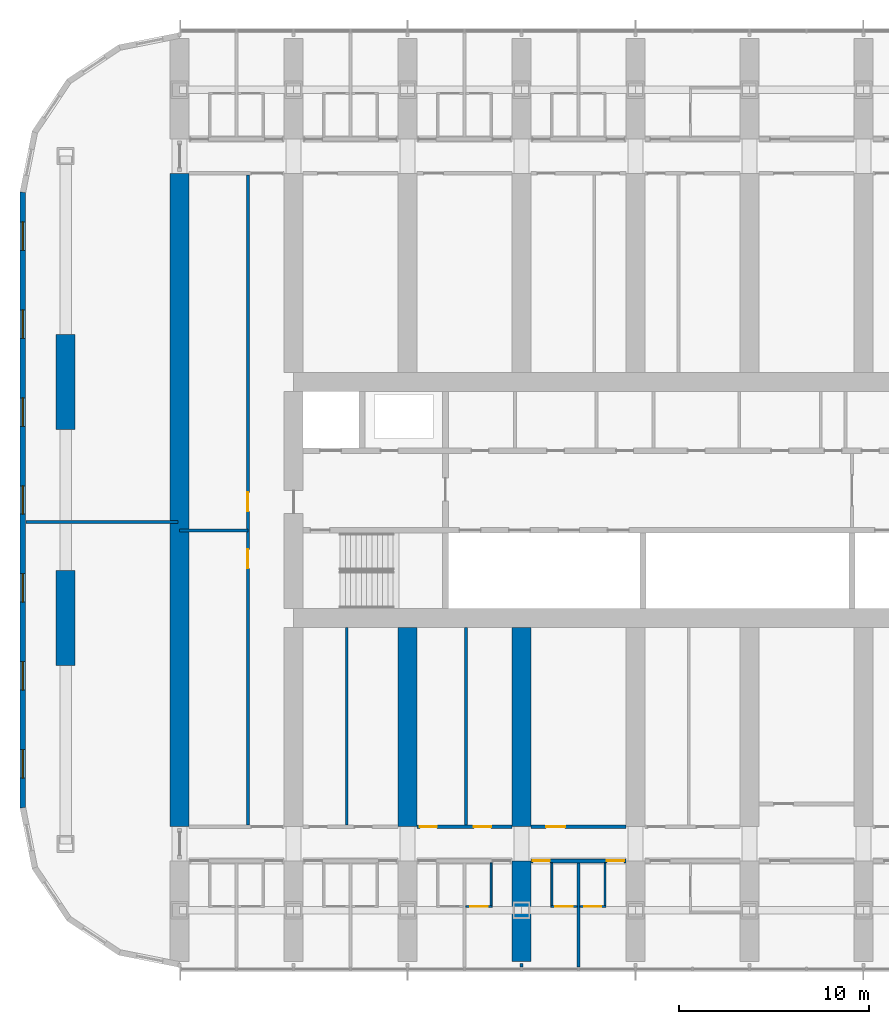
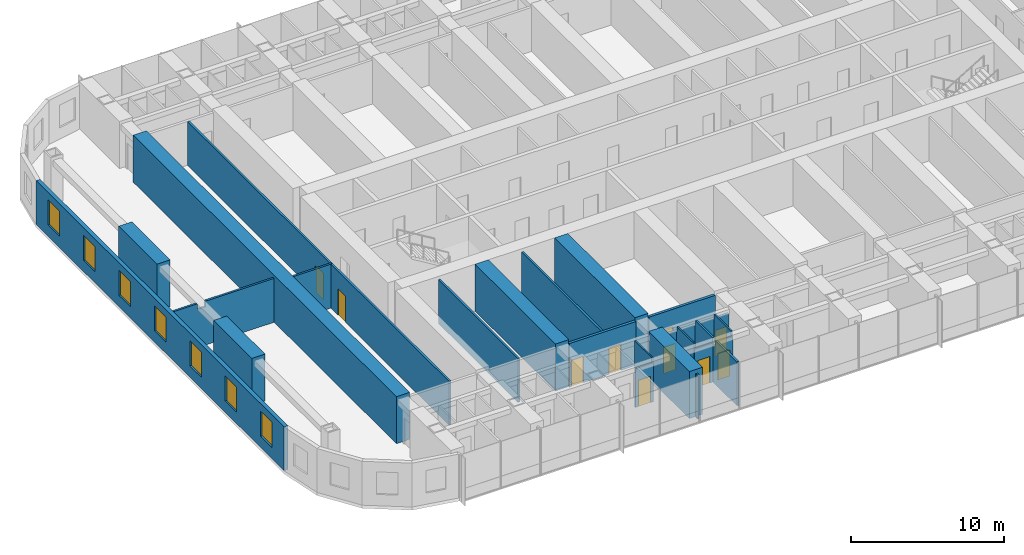
# One storey, part 11 of 25: 23 walls, 10 doors, 7 windows, 17 openings.
"""IFC4 building model written with IfcOpenShell, lengths in metres."""

from ifc_helpers import new_model, si_unit, direction, frame, frame_2d, origin, place, context, subcontext, project, spatial, polyline, rectangle, outline, extrude, material, layer, layer_set, type_object, element, fill, save


model = new_model("IFC4")

# Units and contexts
model_context = context("Model", 3, precision=1e-05, world=origin(), true_north=direction((0.0, 1.0)))
body_context = subcontext(model_context, "Body", "Model", "MODEL_VIEW")
ifc_project = project(units=[si_unit("LENGTHUNIT", "METRE"), si_unit("AREAUNIT", "SQUARE_METRE"), si_unit("VOLUMEUNIT", "CUBIC_METRE"), si_unit("PLANEANGLEUNIT", "RADIAN"), si_unit("MASSUNIT", "GRAM", prefix="KILO")], contexts=[model_context])

# Site, building, storey
site_placement = place(None, origin())
site = spatial("IfcSite", under=ifc_project, at=site_placement, CompositionType="ELEMENT")
building_placement = place(site_placement, origin())
building = spatial("IfcBuilding", under=site, at=building_placement, Name="Orbita Commons", CompositionType="ELEMENT")
storey_placement = place(building_placement, frame((0.0, 0.0, 31.449951171875)))
storey = spatial("IfcBuildingStorey", under=building, at=storey_placement, Name="L07", CompositionType="ELEMENT", Elevation=31.449951171875)

# Wall, openings, doors
ifc_material_1 = material(Name="Concrete blockwork", Category="masonry")
ifc_layer_1 = layer(ifc_material_1, 0.199951171875)
ifc_layer_set_1 = layer_set([ifc_layer_1], Name="Concrete blockwork")
wall_type_1 = type_object("IfcWallType", Name="Corridor wall 200 blockwork", PredefinedType="SOLIDWALL", material=ifc_layer_set_1)
wall_1_placement = place(storey_placement, frame((30.5, 13.0, 0.0), z_axis=(0.0, 0.0, 1.0), x_axis=(1.0, 0.0, 0.0)))
wall_1 = element("IfcWall", 1, at=wall_1_placement, inside=storey, type_object=wall_type_1, Name="Corridor wall 200 blockwork L07", PredefinedType="SOLIDWALL", context=body_context, shape_type="SweptSolid", body=[
    extrude(outline(polyline([(0.0, 0.0), (5.0, 0.0), (5.0, 3.10009765625), (0.0, 3.10009765625), (0.0, 0.0)])), frame((0.0, 0.10009765625, 0.0), z_axis=(0.0, -1.0, 0.0), x_axis=(1.0, 0.0, 0.0)), (0.0, 0.0, 1.0), 0.199951171875),
])
opening_1_placement = place(wall_1_placement, frame((0.10009765625, 0.0, 0.0)))
opening_1 = element("IfcOpeningElement", 2, at=opening_1_placement, cuts=wall_1, Name="Opening D11", PredefinedType="OPENING", context=body_context, shape_type="SweptSolid", body=[
    extrude(rectangle(XDim=0.89990234375, YDim=2.10009765625, at=frame_2d((0.449951171875, 1.050048828125))), frame((0.0, 0.10986328125, 0.0), z_axis=(0.0, -1.0, 0.0), x_axis=(1.0, 0.0, 0.0)), (0.0, 0.0, 1.0), 0.219970703125),
])
opening_2_placement = place(wall_1_placement, frame((4.0, 0.0, 0.0)))
opening_2 = element("IfcOpeningElement", 3, at=opening_2_placement, cuts=wall_1, Name="Opening D11", PredefinedType="OPENING", context=body_context, shape_type="SweptSolid", body=[
    extrude(rectangle(XDim=0.89990234375, YDim=2.10009765625, at=frame_2d((0.449951171875, 1.050048828125))), frame((0.0, 0.10986328125, 0.0), z_axis=(0.0, -1.0, 0.0), x_axis=(1.0, 0.0, 0.0)), (0.0, 0.0, 1.0), 0.219970703125),
])
ifc_material_2 = material(Name="Steel-faced fire door leaf", Category="steel")
door_type_1 = type_object("IfcDoorType", Name="Corridor door 20 min 900x2100", OperationType="SINGLE_SWING_LEFT", PredefinedType="DOOR", material=ifc_material_2)
door_1_placement = place(opening_1_placement, origin())
door_1 = element("IfcDoor", 4, at=door_1_placement, inside=storey, type_object=door_type_1, Name="House bedroom L07-S06 door", OperationType="SINGLE_SWING_LEFT", OverallHeight=2.10009765625, OverallWidth=0.89990234375, PredefinedType="DOOR", context=body_context, shape_type="SweptSolid", body=[
    extrude(rectangle(XDim=0.89990234375, YDim=2.10009765625, at=frame_2d((0.449951171875, 1.050048828125))), frame((0.0, 0.02490234375, 0.0), z_axis=(0.0, -1.0, 0.0), x_axis=(1.0, 0.0, 0.0)), (0.0, 0.0, 1.0), 0.050048828125),
])
fill(opening_1, door_1)
door_2_placement = place(opening_2_placement, origin())
door_2 = element("IfcDoor", 5, at=door_2_placement, inside=storey, type_object=door_type_1, Name="House bedroom L07-S07 door", OperationType="SINGLE_SWING_LEFT", OverallHeight=2.10009765625, OverallWidth=0.89990234375, PredefinedType="DOOR", context=body_context, shape_type="SweptSolid", body=[
    extrude(rectangle(XDim=0.89990234375, YDim=2.10009765625, at=frame_2d((0.449951171875, 1.050048828125))), frame((0.0, 0.02490234375, 0.0), z_axis=(0.0, -1.0, 0.0), x_axis=(1.0, 0.0, 0.0)), (0.0, 0.0, 1.0), 0.050048828125),
])
fill(opening_2, door_2)

ifc_material_3 = material(Name="Hollow concrete block 200", Category="concrete")
ifc_layer_2 = layer(ifc_material_3, 0.199951171875)
ifc_layer_set_2 = layer_set([ifc_layer_2], Name="Hollow concrete block 200")
wall_type_2 = type_object("IfcWallType", Name="Corridor wall 200 hollow concrete block", PredefinedType="SOLIDWALL", material=ifc_layer_set_2)
wall_2_placement = place(storey_placement, frame((24.5, 14.800048828125, 0.0), z_axis=(0.0, 0.0, 1.0), x_axis=(1.0, 0.0, 0.0)))
wall_2 = element("IfcWall", 6, at=wall_2_placement, inside=storey, type_object=wall_type_2, Name="Corridor wall 200 hollow concrete block L07", PredefinedType="SOLIDWALL", context=body_context, shape_type="SweptSolid", body=[
    extrude(rectangle(XDim=5.0, YDim=0.199951171875, at=frame_2d((2.5, 0.0))), origin(), (0.0, 0.0, 1.0), 3.5),
])
opening_3_placement = place(wall_2_placement, frame((0.14990234375, 0.0, 0.0)))
opening_3 = element("IfcOpeningElement", 7, at=opening_3_placement, cuts=wall_2, Name="Opening D11", PredefinedType="OPENING", context=body_context, shape_type="SweptSolid", body=[
    extrude(rectangle(XDim=0.89990234375, YDim=2.10009765625, at=frame_2d((0.449951171875, 1.050048828125))), frame((0.0, 0.10986328125, 0.0), z_axis=(0.0, -1.0, 0.0), x_axis=(1.0, 0.0, 0.0)), (0.0, 0.0, 1.0), 0.219970703125),
])
opening_4_placement = place(wall_2_placement, frame((3.0, 0.0, 0.0)))
opening_4 = element("IfcOpeningElement", 8, at=opening_4_placement, cuts=wall_2, Name="Opening D11", PredefinedType="OPENING", context=body_context, shape_type="SweptSolid", body=[
    extrude(rectangle(XDim=0.89990234375, YDim=2.10009765625, at=frame_2d((0.449951171875, 1.050048828125))), frame((0.0, 0.10986328125, 0.0), z_axis=(0.0, -1.0, 0.0), x_axis=(1.0, 0.0, 0.0)), (0.0, 0.0, 1.0), 0.219970703125),
])
door_3_placement = place(opening_3_placement, origin())
door_3 = element("IfcDoor", 9, at=door_3_placement, inside=storey, type_object=door_type_1, Name="Equipment store L07-BDS24n door", OperationType="SINGLE_SWING_LEFT", OverallHeight=2.10009765625, OverallWidth=0.89990234375, PredefinedType="DOOR", context=body_context, shape_type="SweptSolid", body=[
    extrude(rectangle(XDim=0.89990234375, YDim=2.10009765625, at=frame_2d((0.449951171875, 1.050048828125))), frame((0.0, 0.02490234375, 0.0), z_axis=(0.0, -1.0, 0.0), x_axis=(1.0, 0.0, 0.0)), (0.0, 0.0, 1.0), 0.050048828125),
])
fill(opening_3, door_3)
door_4_placement = place(opening_4_placement, origin())
door_4 = element("IfcDoor", 10, at=door_4_placement, inside=storey, type_object=door_type_1, Name="Bicycle repair workshop L07-BDS24 door", OperationType="SINGLE_SWING_LEFT", OverallHeight=2.10009765625, OverallWidth=0.89990234375, PredefinedType="DOOR", context=body_context, shape_type="SweptSolid", body=[
    extrude(rectangle(XDim=0.89990234375, YDim=2.10009765625, at=frame_2d((0.449951171875, 1.050048828125))), frame((0.0, 0.02490234375, 0.0), z_axis=(0.0, -1.0, 0.0), x_axis=(1.0, 0.0, 0.0)), (0.0, 0.0, 1.0), 0.050048828125),
])
fill(opening_4, door_4)

# Wall, opening, door
wall_3_placement = place(storey_placement, frame((30.5, 14.800048828125, 0.0), z_axis=(0.0, 0.0, 1.0), x_axis=(1.0, 0.0, 0.0)))
wall_3 = element("IfcWall", 11, at=wall_3_placement, inside=storey, type_object=wall_type_2, Name="Corridor wall 200 hollow concrete block L07", PredefinedType="SOLIDWALL", context=body_context, shape_type="SweptSolid", body=[
    extrude(rectangle(XDim=5.0, YDim=0.199951171875, at=frame_2d((2.5, 0.0))), origin(), (0.0, 0.0, 1.0), 3.5),
])
opening_5_placement = place(wall_3_placement, frame((0.800048828125, 0.0, 0.0)))
opening_5 = element("IfcOpeningElement", 12, at=opening_5_placement, cuts=wall_3, Name="Opening D06", PredefinedType="OPENING", context=body_context, shape_type="SweptSolid", body=[
    extrude(rectangle(XDim=1.0, YDim=2.10009765625, at=frame_2d((0.5, 1.050048828125))), frame((0.0, 0.10986328125, 0.0), z_axis=(0.0, -1.0, 0.0), x_axis=(1.0, 0.0, 0.0)), (0.0, 0.0, 1.0), 0.219970703125),
])
ifc_material_4 = material(Name="Steel-faced fire door leaf", Category="steel")
door_type_2 = type_object("IfcDoorType", Name="Corridor door 20 min 1000x2100", OperationType="SINGLE_SWING_LEFT", PredefinedType="DOOR", material=ifc_material_4)
door_5_placement = place(opening_5_placement, origin())
door_5 = element("IfcDoor", 13, at=door_5_placement, inside=storey, type_object=door_type_2, Name="House pantry L07-BDS30 door", OperationType="SINGLE_SWING_LEFT", OverallHeight=2.10009765625, OverallWidth=1.0, PredefinedType="DOOR", context=body_context, shape_type="SweptSolid", body=[
    extrude(rectangle(XDim=1.0, YDim=2.10009765625, at=frame_2d((0.5, 1.050048828125))), frame((0.0, 0.02490234375, 0.0), z_axis=(0.0, -1.0, 0.0), x_axis=(1.0, 0.0, 0.0)), (0.0, 0.0, 1.0), 0.050048828125),
])
fill(opening_5, door_5)

# Walls
ifc_material_5 = material(Name="Concrete C50/60", Category="concrete")
ifc_layer_3 = layer(ifc_material_5, 1.0)
ifc_layer_set_3 = layer_set([ifc_layer_3], Name="Concrete C50/60")
wall_type_3 = type_object("IfcWallType", Name="Cross wall 1000 C50/60", PredefinedType="SHEAR", material=ifc_layer_set_3)
wall_4_placement = place(storey_placement, frame((12.0, 14.800048828125, 0.0), z_axis=(0.0, 0.0, 1.0), x_axis=(0.0, 1.0, 0.0)))
element("IfcWall", 14, at=wall_4_placement, inside=storey, type_object=wall_type_3, Name="Cross wall 3 inner L07", PredefinedType="SHEAR", context=body_context, shape_type="SweptSolid", body=[
    extrude(rectangle(XDim=34.39990234375, YDim=1.0, at=frame_2d((17.199951171875, 0.0))), origin(), (0.0, 0.0, 1.0), 3.75),
])
wall_5_placement = place(storey_placement, frame((24.0, 14.800048828125, 0.0), z_axis=(0.0, 0.0, 1.0), x_axis=(0.0, 1.0, 0.0)))
element("IfcWall", 15, at=wall_5_placement, inside=storey, type_object=wall_type_3, Name="Cross wall 5 south inner L07", PredefinedType="SHEAR", context=body_context, shape_type="SweptSolid", body=[
    extrude(rectangle(XDim=10.5, YDim=1.0, at=frame_2d((5.25, 0.0))), origin(), (0.0, 0.0, 1.0), 3.75),
])
wall_6_placement = place(storey_placement, frame((30.0, 7.699951171875, 0.0), z_axis=(0.0, 0.0, 1.0), x_axis=(0.0, 1.0, 0.0)))
element("IfcWall", 16, at=wall_6_placement, inside=storey, type_object=wall_type_3, Name="Cross wall 6 south outer L07", PredefinedType="SHEAR", context=body_context, shape_type="SweptSolid", body=[
    extrude(rectangle(XDim=5.300048828125, YDim=1.0, at=frame_2d((2.64990234375, 0.0))), origin(), (0.0, 0.0, 1.0), 3.75),
])
wall_7_placement = place(storey_placement, frame((30.0, 14.800048828125, 0.0), z_axis=(0.0, 0.0, 1.0), x_axis=(0.0, 1.0, 0.0)))
element("IfcWall", 17, at=wall_7_placement, inside=storey, type_object=wall_type_3, Name="Cross wall 6 south inner L07", PredefinedType="SHEAR", context=body_context, shape_type="SweptSolid", body=[
    extrude(rectangle(XDim=10.5, YDim=1.0, at=frame_2d((5.25, 0.0))), origin(), (0.0, 0.0, 1.0), 3.75),
])

# Wall, opening, door
ifc_material_6 = material(Name="Moisture-resistant plasterboard on steel studs", Category="steel")
ifc_layer_4 = layer(ifc_material_6, 0.10009765625)
ifc_layer_set_4 = layer_set([ifc_layer_4], Name="Moisture-resistant plasterboard on steel studs")
wall_type_4 = type_object("IfcWallType", Name="En-suite partition 100", PredefinedType="PARTITIONING", material=ifc_layer_set_4)
wall_8_placement = place(storey_placement, frame((28.449951171875, 10.59814453125, 0.0), z_axis=(0.0, 0.0, 1.0), x_axis=(-1.0, 0.0, 0.0)))
wall_8 = element("IfcWall", 18, at=wall_8_placement, inside=storey, type_object=wall_type_4, Name="En-suite partition 100 L07", PredefinedType="PARTITIONING", context=body_context, shape_type="SweptSolid", body=[
    extrude(outline(polyline([(0.0, 0.0), (1.375, 0.0), (1.375, 3.10009765625), (0.0, 3.10009765625), (0.0, 0.0)])), frame((0.0, 0.050048828125, 0.0), z_axis=(0.0, -1.0, 0.0), x_axis=(1.0, 0.0, 0.0)), (0.0, 0.0, 1.0), 0.10009765625),
])
opening_6_placement = place(wall_8_placement, frame((0.237548828125, 0.0, 0.0)))
opening_6 = element("IfcOpeningElement", 19, at=opening_6_placement, cuts=wall_8, Name="Opening D09", PredefinedType="OPENING", context=body_context, shape_type="SweptSolid", body=[
    extrude(rectangle(XDim=0.89990234375, YDim=2.10009765625, at=frame_2d((0.449951171875, 1.050048828125))), frame((0.0, 0.06005859375, 0.0), z_axis=(0.0, -1.0, 0.0), x_axis=(1.0, 0.0, 0.0)), (0.0, 0.0, 1.0), 0.1201171875),
])
ifc_material_7 = material(Name="Laminated timber door leaf", Category="wood")
door_type_3 = type_object("IfcDoorType", Name="En-suite door 900x2100", OperationType="SINGLE_SWING_RIGHT", PredefinedType="DOOR", material=ifc_material_7)
door_6_placement = place(opening_6_placement, origin())
door_6 = element("IfcDoor", 20, at=door_6_placement, inside=storey, type_object=door_type_3, Name="En-suite L07-S05 door", OperationType="SINGLE_SWING_RIGHT", OverallHeight=2.10009765625, OverallWidth=0.89990234375, PredefinedType="DOOR", context=body_context, shape_type="SweptSolid", body=[
    extrude(rectangle(XDim=0.89990234375, YDim=2.10009765625, at=frame_2d((0.449951171875, 1.050048828125))), frame((0.0, 0.02490234375, 0.0), z_axis=(0.0, -1.0, 0.0), x_axis=(1.0, 0.0, 0.0)), (0.0, 0.0, 1.0), 0.050048828125),
])
fill(opening_6, door_6)

# Wall
wall_9_placement = place(storey_placement, frame((28.39990234375, 10.648193359375, 0.0), z_axis=(0.0, 0.0, 1.0), x_axis=(0.0, 1.0, 0.0)))
element("IfcWall", 21, at=wall_9_placement, inside=storey, type_object=wall_type_4, Name="En-suite partition 100 L07", PredefinedType="PARTITIONING", context=body_context, shape_type="SweptSolid", body=[
    extrude(outline(polyline([(0.0, 0.0), (2.251708984375, 0.0), (2.251953125, 3.10009765625), (2.203857421875, 3.10009765625), (2.201904296875, 3.5), (0.0, 3.5), (0.0, 0.0)])), frame((0.0, 0.050048828125, 0.0), z_axis=(0.0, -1.0, 0.0), x_axis=(1.0, 0.0, 0.0)), (0.0, 0.0, 1.0), 0.10009765625),
])

# Wall, opening, door
wall_10_placement = place(storey_placement, frame((32.925048828125, 10.59814453125, 0.0), z_axis=(0.0, 0.0, 1.0), x_axis=(-1.0, 0.0, 0.0)))
wall_10 = element("IfcWall", 22, at=wall_10_placement, inside=storey, type_object=wall_type_4, Name="En-suite partition 100 L07", PredefinedType="PARTITIONING", context=body_context, shape_type="SweptSolid", body=[
    extrude(outline(polyline([(0.0, 0.0), (1.375, 0.0), (1.375, 3.10009765625), (0.0, 3.10009765625), (0.0, 0.0)])), frame((0.0, 0.050048828125, 0.0), z_axis=(0.0, -1.0, 0.0), x_axis=(1.0, 0.0, 0.0)), (0.0, 0.0, 1.0), 0.10009765625),
])
opening_7_placement = place(wall_10_placement, frame((0.237548828125, 0.0, 0.0)))
opening_7 = element("IfcOpeningElement", 23, at=opening_7_placement, cuts=wall_10, Name="Opening D09", PredefinedType="OPENING", context=body_context, shape_type="SweptSolid", body=[
    extrude(rectangle(XDim=0.89990234375, YDim=2.10009765625, at=frame_2d((0.449951171875, 1.050048828125))), frame((0.0, 0.06005859375, 0.0), z_axis=(0.0, -1.0, 0.0), x_axis=(1.0, 0.0, 0.0)), (0.0, 0.0, 1.0), 0.1201171875),
])
door_7_placement = place(opening_7_placement, origin())
door_7 = element("IfcDoor", 24, at=door_7_placement, inside=storey, type_object=door_type_3, Name="En-suite L07-S06 door", OperationType="SINGLE_SWING_RIGHT", OverallHeight=2.10009765625, OverallWidth=0.89990234375, PredefinedType="DOOR", context=body_context, shape_type="SweptSolid", body=[
    extrude(rectangle(XDim=0.89990234375, YDim=2.10009765625, at=frame_2d((0.449951171875, 1.050048828125))), frame((0.0, 0.02490234375, 0.0), z_axis=(0.0, -1.0, 0.0), x_axis=(1.0, 0.0, 0.0)), (0.0, 0.0, 1.0), 0.050048828125),
])
fill(opening_7, door_7)

# Wall
wall_11_placement = place(storey_placement, frame((31.60009765625, 10.648193359375, 0.0), z_axis=(0.0, 0.0, 1.0), x_axis=(0.0, 1.0, 0.0)))
element("IfcWall", 25, at=wall_11_placement, inside=storey, type_object=wall_type_4, Name="En-suite partition 100 L07", PredefinedType="PARTITIONING", context=body_context, shape_type="SweptSolid", body=[
    extrude(outline(polyline([(0.0, 0.0), (2.251708984375, 0.0), (2.251953125, 3.10009765625), (2.203857421875, 3.10009765625), (2.201904296875, 3.5), (0.0, 3.5), (0.0, 0.0)])), frame((0.0, 0.050048828125, 0.0), z_axis=(0.0, -1.0, 0.0), x_axis=(1.0, 0.0, 0.0)), (0.0, 0.0, 1.0), 0.10009765625),
])

# Wall, opening, door
wall_12_placement = place(storey_placement, frame((34.449951171875, 10.59814453125, 0.0), z_axis=(0.0, 0.0, 1.0), x_axis=(-1.0, 0.0, 0.0)))
wall_12 = element("IfcWall", 26, at=wall_12_placement, inside=storey, type_object=wall_type_4, Name="En-suite partition 100 L07", PredefinedType="PARTITIONING", context=body_context, shape_type="SweptSolid", body=[
    extrude(outline(polyline([(0.0, 0.0), (1.375, 0.0), (1.375, 3.10009765625), (0.0, 3.10009765625), (0.0, 0.0)])), frame((0.0, 0.050048828125, 0.0), z_axis=(0.0, -1.0, 0.0), x_axis=(1.0, 0.0, 0.0)), (0.0, 0.0, 1.0), 0.10009765625),
])
opening_8_placement = place(wall_12_placement, frame((0.237548828125, 0.0, 0.0)))
opening_8 = element("IfcOpeningElement", 27, at=opening_8_placement, cuts=wall_12, Name="Opening D09", PredefinedType="OPENING", context=body_context, shape_type="SweptSolid", body=[
    extrude(rectangle(XDim=0.89990234375, YDim=2.10009765625, at=frame_2d((0.449951171875, 1.050048828125))), frame((0.0, 0.06005859375, 0.0), z_axis=(0.0, -1.0, 0.0), x_axis=(1.0, 0.0, 0.0)), (0.0, 0.0, 1.0), 0.1201171875),
])
door_8_placement = place(opening_8_placement, origin())
door_8 = element("IfcDoor", 28, at=door_8_placement, inside=storey, type_object=door_type_3, Name="En-suite L07-S07 door", OperationType="SINGLE_SWING_RIGHT", OverallHeight=2.10009765625, OverallWidth=0.89990234375, PredefinedType="DOOR", context=body_context, shape_type="SweptSolid", body=[
    extrude(rectangle(XDim=0.89990234375, YDim=2.10009765625, at=frame_2d((0.449951171875, 1.050048828125))), frame((0.0, 0.02490234375, 0.0), z_axis=(0.0, -1.0, 0.0), x_axis=(1.0, 0.0, 0.0)), (0.0, 0.0, 1.0), 0.050048828125),
])
fill(opening_8, door_8)

# Walls
wall_13_placement = place(storey_placement, frame((34.39990234375, 10.648193359375, 0.0), z_axis=(0.0, 0.0, 1.0), x_axis=(0.0, 1.0, 0.0)))
element("IfcWall", 29, at=wall_13_placement, inside=storey, type_object=wall_type_4, Name="En-suite partition 100 L07", PredefinedType="PARTITIONING", context=body_context, shape_type="SweptSolid", body=[
    extrude(outline(polyline([(0.0, 0.0), (2.251708984375, 0.0), (2.251953125, 3.10009765625), (2.203857421875, 3.10009765625), (2.201904296875, 3.5), (0.0, 3.5), (0.0, 0.0)])), frame((0.0, 0.050048828125, 0.0), z_axis=(0.0, -1.0, 0.0), x_axis=(1.0, 0.0, 0.0)), (0.0, 0.0, 1.0), 0.10009765625),
])
ifc_material_8 = material(Name="Concrete C50/60", Category="concrete")
ifc_layer_5 = layer(ifc_material_8, 1.0)
ifc_layer_set_5 = layer_set([ifc_layer_5], Name="Concrete C50/60")
wall_type_5 = type_object("IfcWallType", Name="End pier 1000x5000 C50/60", PredefinedType="SHEAR", material=ifc_layer_set_5)
for number, where, z_axis, x_axis, name in (
    (30, (6.0, 23.300048828125, 0.0), (0.0, 0.0, 1.0), (0.0, 1.0, 0.0), "End pier 2/C L07"),
    (31, (6.0, 35.699951171875, 0.0), (0.0, 0.0, 1.0), (0.0, 1.0, 0.0), "End pier 2/D L07"),
):
    element("IfcWall", number, at=place(storey_placement, frame(where, z_axis=z_axis, x_axis=x_axis)), inside=storey, type_object=wall_type_5, Name=name, PredefinedType="SHEAR", context=body_context, shape_type="SweptSolid", body=[
        extrude(rectangle(XDim=5.0, YDim=1.0, at=frame_2d((2.5, 0.0))), origin(), (0.0, 0.0, 1.0), 3.75),
    ])
ifc_material_9 = material(Name="Gypsum plasterboard on steel studs", Category="steel")
ifc_layer_6 = layer(ifc_material_9, 0.14990234375)
ifc_layer_set_6 = layer_set([ifc_layer_6], Name="Gypsum plasterboard on steel studs")
wall_type_6 = type_object("IfcWallType", Name="Partition 150 plasterboard", PredefinedType="PARTITIONING", material=ifc_layer_set_6)
for number, where, z_axis, x_axis, name in (
    (32, (20.800048828125, 14.89990234375, 0.0), (0.0, 0.0, 1.0), (0.0, 1.0, 0.0), "Partition 150 plasterboard L07"),
    (33, (27.074951171875, 14.89990234375, 0.0), (0.0, 0.0, 1.0), (0.0, 1.0, 0.0), "Partition 150 plasterboard L07"),
):
    element("IfcWall", number, at=place(storey_placement, frame(where, z_axis=z_axis, x_axis=x_axis)), inside=storey, type_object=wall_type_6, Name=name, PredefinedType="PARTITIONING", context=body_context, shape_type="SweptSolid", body=[
        extrude(rectangle(XDim=10.400146484375, YDim=0.14990234375, at=frame_2d((5.2001953125, 0.0))), origin(), (0.0, 0.0, 1.0), 3.5),
    ])

# Wall, openings, doors
wall_14_placement = place(storey_placement, frame((15.60009765625, 14.89990234375, 0.0), z_axis=(0.0, 0.0, 1.0), x_axis=(0.0, 1.0, 0.0)))
wall_14 = element("IfcWall", 34, at=wall_14_placement, inside=storey, type_object=wall_type_6, Name="Partition 150 plasterboard L07", PredefinedType="PARTITIONING", context=body_context, shape_type="SweptSolid", body=[
    extrude(rectangle(XDim=34.2001953125, YDim=0.14990234375, at=frame_2d((17.10009765625, 0.0))), origin(), (0.0, 0.0, 1.0), 3.5),
])
opening_9_placement = place(wall_14_placement, frame((13.5, 0.0, 0.0)))
opening_9 = element("IfcOpeningElement", 35, at=opening_9_placement, cuts=wall_14, Name="Opening D06", PredefinedType="OPENING", context=body_context, shape_type="SweptSolid", body=[
    extrude(rectangle(XDim=1.0, YDim=2.10009765625, at=frame_2d((0.5, 1.050048828125))), frame((0.0, 0.0849609375, 0.0), z_axis=(0.0, -1.0, 0.0), x_axis=(1.0, 0.0, 0.0)), (0.0, 0.0, 1.0), 0.169921875),
])
opening_10_placement = place(wall_14_placement, frame((16.5, 0.0, 0.0)))
opening_10 = element("IfcOpeningElement", 36, at=opening_10_placement, cuts=wall_14, Name="Opening D06", PredefinedType="OPENING", context=body_context, shape_type="SweptSolid", body=[
    extrude(rectangle(XDim=1.0, YDim=2.10009765625, at=frame_2d((0.5, 1.050048828125))), frame((0.0, 0.0849609375, 0.0), z_axis=(0.0, -1.0, 0.0), x_axis=(1.0, 0.0, 0.0)), (0.0, 0.0, 1.0), 0.169921875),
])
door_9_placement = place(opening_9_placement, origin())
door_9 = element("IfcDoor", 37, at=door_9_placement, inside=storey, type_object=door_type_2, Name="Interview room door", OperationType="SINGLE_SWING_LEFT", OverallHeight=2.10009765625, OverallWidth=1.0, PredefinedType="DOOR", context=body_context, shape_type="SweptSolid", body=[
    extrude(rectangle(XDim=1.0, YDim=2.10009765625, at=frame_2d((0.5, 1.050048828125))), frame((0.0, 0.02490234375, 0.0), z_axis=(0.0, -1.0, 0.0), x_axis=(1.0, 0.0, 0.0)), (0.0, 0.0, 1.0), 0.050048828125),
])
fill(opening_9, door_9)
door_10_placement = place(opening_10_placement, origin())
door_10 = element("IfcDoor", 38, at=door_10_placement, inside=storey, type_object=door_type_2, Name="Residents' storage room door", OperationType="SINGLE_SWING_LEFT", OverallHeight=2.10009765625, OverallWidth=1.0, PredefinedType="DOOR", context=body_context, shape_type="SweptSolid", body=[
    extrude(rectangle(XDim=1.0, YDim=2.10009765625, at=frame_2d((0.5, 1.050048828125))), frame((0.0, 0.02490234375, 0.0), z_axis=(0.0, -1.0, 0.0), x_axis=(1.0, 0.0, 0.0)), (0.0, 0.0, 1.0), 0.050048828125),
])
fill(opening_10, door_10)

# Walls
wall_15_placement = place(storey_placement, frame((12.0, 30.39990234375, 0.0), z_axis=(0.0, 0.0, 1.0), x_axis=(1.0, 0.0, 0.0)))
element("IfcWall", 39, at=wall_15_placement, inside=storey, type_object=wall_type_6, Name="Partition 150 plasterboard L07", PredefinedType="PARTITIONING", context=body_context, shape_type="SweptSolid", body=[
    extrude(rectangle(XDim=3.60009765625, YDim=0.14990234375, at=frame_2d((1.800048828125, 0.0))), origin(), (0.0, 0.0, 1.0), 3.5),
])
wall_16_placement = place(storey_placement, frame((3.905029296875, 30.85009765625, 0.0), z_axis=(0.0, 0.0, 1.0), x_axis=(1.0, 0.0, 0.0)))
element("IfcWall", 40, at=wall_16_placement, inside=storey, type_object=wall_type_6, Name="Partition 150 plasterboard L07", PredefinedType="PARTITIONING", context=body_context, shape_type="SweptSolid", body=[
    extrude(outline(polyline([(0.0, 0.0), (8.02001953125, 0.0), (8.02001953125, 3.5), (2.39697265625, 3.5), (2.39501953125, 3.050048828125), (1.797119140625, 3.050048828125), (1.794921875, 3.5), (0.0, 3.5), (0.0, 0.0)])), frame((0.0, 0.074951171875, 0.0), z_axis=(0.0, -1.0, 0.0), x_axis=(1.0, 0.0, 0.0)), (0.0, 0.0, 1.0), 0.14990234375),
])
wall_17_placement = place(storey_placement, frame((30.0, 7.60009765625, 0.0), z_axis=(0.0, 0.0, 1.0), x_axis=(0.0, -1.0, 0.0)))
element("IfcWall", 41, at=wall_17_placement, inside=storey, type_object=wall_type_6, Name="Partition 150 plasterboard L07", PredefinedType="PARTITIONING", context=body_context, shape_type="SweptSolid", body=[
    extrude(rectangle(XDim=0.190185546875, YDim=0.14990234375, at=frame_2d((0.09521484375, 0.0))), origin(), (0.0, 0.0, 1.0), 3.5),
])
ifc_material_10 = material(Name="Gypsum plasterboard on steel studs", Category="steel")
ifc_layer_7 = layer(ifc_material_10, 0.14990234375)
ifc_layer_set_7 = layer_set([ifc_layer_7], Name="Gypsum plasterboard on steel studs")
wall_type_7 = type_object("IfcWallType", Name="Party wall 150 plasterboard", PredefinedType="PARTITIONING", material=ifc_layer_set_7)
wall_18_placement = place(storey_placement, frame((33.0, 7.409912109375, 0.0), z_axis=(0.0, 0.0, 1.0), x_axis=(0.0, 1.0, 0.0)))
element("IfcWall", 42, at=wall_18_placement, inside=storey, type_object=wall_type_7, Name="Party wall 150 plasterboard L07", PredefinedType="PARTITIONING", context=body_context, shape_type="SweptSolid", body=[
    extrude(outline(polyline([(0.0, 0.0), (5.489990234375, 0.0), (5.489990234375, 3.10009765625), (5.44189453125, 3.10009765625), (5.43994140625, 3.5), (3.19189453125, 3.5), (3.18994140625, 3.10009765625), (2.7919921875, 3.10009765625), (2.7900390625, 3.5), (0.0, 3.5), (0.0, 0.0)])), frame((0.0, 0.074951171875, 0.0), z_axis=(0.0, -1.0, 0.0), x_axis=(1.0, 0.0, 0.0)), (0.0, 0.0, 1.0), 0.14990234375),
])

# Wall, openings, windows
ifc_material_11 = material(Name="Precast concrete C40/50, white board-marked finish", Category="concrete")
ifc_layer_8 = layer(ifc_material_11, 0.300048828125)
ifc_layer_set_8 = layer_set([ifc_layer_8], Name="Precast concrete C40/50, white board-marked finish")
wall_type_8 = type_object("IfcWallType", Name="Precast concrete end shield 300", PredefinedType="SOLIDWALL", material=ifc_layer_set_8)
wall_19_placement = place(storey_placement, frame((3.75, 48.199951171875, 0.0), z_axis=(0.0, 0.0, 1.0), x_axis=(0.0, -1.0, 0.0)))
wall_19 = element("IfcWall", 43, at=wall_19_placement, inside=storey, type_object=wall_type_8, Name="End shield W L07", PredefinedType="SOLIDWALL", context=body_context, shape_type="SweptSolid", body=[
    extrude(outline(polyline([(-0.014892578125, -0.14990234375), (32.414794921875, -0.14990234375), (32.385009765625, 0.14990234375), (0.014892578125, 0.14990234375), (-0.014892578125, -0.14990234375)])), origin(), (0.0, 0.0, 1.0), 3.5),
])
opening_11_placement = place(wall_19_placement, frame((1.564208984375, 0.0, 0.89990234375)))
opening_11 = element("IfcOpeningElement", 44, at=opening_11_placement, cuts=wall_19, Name="Opening W01", PredefinedType="OPENING", context=body_context, shape_type="SweptSolid", body=[
    extrude(rectangle(XDim=1.5, YDim=2.0, at=frame_2d((0.75, 1.0))), frame((0.0, 0.159912109375, 0.0), z_axis=(0.0, -1.0, 0.0), x_axis=(1.0, 0.0, 0.0)), (0.0, 0.0, 1.0), 0.320068359375),
])
opening_12_placement = place(wall_19_placement, frame((6.19287109375, 0.0, 0.89990234375)))
opening_12 = element("IfcOpeningElement", 45, at=opening_12_placement, cuts=wall_19, Name="Opening W01", PredefinedType="OPENING", context=body_context, shape_type="SweptSolid", body=[
    extrude(rectangle(XDim=1.5, YDim=2.0, at=frame_2d((0.75, 1.0))), frame((0.0, 0.159912109375, 0.0), z_axis=(0.0, -1.0, 0.0), x_axis=(1.0, 0.0, 0.0)), (0.0, 0.0, 1.0), 0.320068359375),
])
opening_13_placement = place(wall_19_placement, frame((10.821533203125, 0.0, 0.89990234375)))
opening_13 = element("IfcOpeningElement", 46, at=opening_13_placement, cuts=wall_19, Name="Opening W01", PredefinedType="OPENING", context=body_context, shape_type="SweptSolid", body=[
    extrude(rectangle(XDim=1.5, YDim=2.0, at=frame_2d((0.75, 1.0))), frame((0.0, 0.159912109375, 0.0), z_axis=(0.0, -1.0, 0.0), x_axis=(1.0, 0.0, 0.0)), (0.0, 0.0, 1.0), 0.320068359375),
])
opening_14_placement = place(wall_19_placement, frame((15.449951171875, 0.0, 0.89990234375)))
opening_14 = element("IfcOpeningElement", 47, at=opening_14_placement, cuts=wall_19, Name="Opening W01", PredefinedType="OPENING", context=body_context, shape_type="SweptSolid", body=[
    extrude(rectangle(XDim=1.5, YDim=2.0, at=frame_2d((0.75, 1.0))), frame((0.0, 0.159912109375, 0.0), z_axis=(0.0, -1.0, 0.0), x_axis=(1.0, 0.0, 0.0)), (0.0, 0.0, 1.0), 0.320068359375),
])
opening_15_placement = place(wall_19_placement, frame((20.07861328125, 0.0, 0.89990234375)))
opening_15 = element("IfcOpeningElement", 48, at=opening_15_placement, cuts=wall_19, Name="Opening W01", PredefinedType="OPENING", context=body_context, shape_type="SweptSolid", body=[
    extrude(rectangle(XDim=1.5, YDim=2.0, at=frame_2d((0.75, 1.0))), frame((0.0, 0.159912109375, 0.0), z_axis=(0.0, -1.0, 0.0), x_axis=(1.0, 0.0, 0.0)), (0.0, 0.0, 1.0), 0.320068359375),
])
opening_16_placement = place(wall_19_placement, frame((24.70703125, 0.0, 0.89990234375)))
opening_16 = element("IfcOpeningElement", 49, at=opening_16_placement, cuts=wall_19, Name="Opening W01", PredefinedType="OPENING", context=body_context, shape_type="SweptSolid", body=[
    extrude(rectangle(XDim=1.5, YDim=2.0, at=frame_2d((0.75, 1.0))), frame((0.0, 0.159912109375, 0.0), z_axis=(0.0, -1.0, 0.0), x_axis=(1.0, 0.0, 0.0)), (0.0, 0.0, 1.0), 0.320068359375),
])
opening_17_placement = place(wall_19_placement, frame((29.335693359375, 0.0, 0.89990234375)))
opening_17 = element("IfcOpeningElement", 50, at=opening_17_placement, cuts=wall_19, Name="Opening W01", PredefinedType="OPENING", context=body_context, shape_type="SweptSolid", body=[
    extrude(rectangle(XDim=1.5, YDim=2.0, at=frame_2d((0.75, 1.0))), frame((0.0, 0.159912109375, 0.0), z_axis=(0.0, -1.0, 0.0), x_axis=(1.0, 0.0, 0.0)), (0.0, 0.0, 1.0), 0.320068359375),
])
ifc_material_12 = material(Name="Aluminium frame, clear double glazing", Category="aluminium")
window_type = type_object("IfcWindowType", Name="Deep-set window 1500x2000", PartitioningType="SINGLE_PANEL", PredefinedType="WINDOW", material=ifc_material_12)
window_1_placement = place(opening_11_placement, origin())
window_1 = element("IfcWindow", 51, at=window_1_placement, inside=storey, type_object=window_type, Name="Window L07-W 1", OverallHeight=2.0, OverallWidth=1.5, PartitioningType="SINGLE_PANEL", PredefinedType="WINDOW", context=body_context, shape_type="SweptSolid", body=[
    extrude(rectangle(XDim=1.5, YDim=2.0, at=frame_2d((0.75, 1.0))), frame((0.0, 0.030029296875, 0.0), z_axis=(0.0, -1.0, 0.0), x_axis=(1.0, 0.0, 0.0)), (0.0, 0.0, 1.0), 0.06005859375),
])
fill(opening_11, window_1)
window_2_placement = place(opening_12_placement, origin())
window_2 = element("IfcWindow", 52, at=window_2_placement, inside=storey, type_object=window_type, Name="Window L07-W 2", OverallHeight=2.0, OverallWidth=1.5, PartitioningType="SINGLE_PANEL", PredefinedType="WINDOW", context=body_context, shape_type="SweptSolid", body=[
    extrude(rectangle(XDim=1.5, YDim=2.0, at=frame_2d((0.75, 1.0))), frame((0.0, 0.030029296875, 0.0), z_axis=(0.0, -1.0, 0.0), x_axis=(1.0, 0.0, 0.0)), (0.0, 0.0, 1.0), 0.06005859375),
])
fill(opening_12, window_2)
window_3_placement = place(opening_13_placement, origin())
window_3 = element("IfcWindow", 53, at=window_3_placement, inside=storey, type_object=window_type, Name="Window L07-W 3", OverallHeight=2.0, OverallWidth=1.5, PartitioningType="SINGLE_PANEL", PredefinedType="WINDOW", context=body_context, shape_type="SweptSolid", body=[
    extrude(rectangle(XDim=1.5, YDim=2.0, at=frame_2d((0.75, 1.0))), frame((0.0, 0.030029296875, 0.0), z_axis=(0.0, -1.0, 0.0), x_axis=(1.0, 0.0, 0.0)), (0.0, 0.0, 1.0), 0.06005859375),
])
fill(opening_13, window_3)
window_4_placement = place(opening_14_placement, origin())
window_4 = element("IfcWindow", 54, at=window_4_placement, inside=storey, type_object=window_type, Name="Window L07-W 4", OverallHeight=2.0, OverallWidth=1.5, PartitioningType="SINGLE_PANEL", PredefinedType="WINDOW", context=body_context, shape_type="SweptSolid", body=[
    extrude(rectangle(XDim=1.5, YDim=2.0, at=frame_2d((0.75, 1.0))), frame((0.0, 0.030029296875, 0.0), z_axis=(0.0, -1.0, 0.0), x_axis=(1.0, 0.0, 0.0)), (0.0, 0.0, 1.0), 0.06005859375),
])
fill(opening_14, window_4)
window_5_placement = place(opening_15_placement, origin())
window_5 = element("IfcWindow", 55, at=window_5_placement, inside=storey, type_object=window_type, Name="Window L07-W 5", OverallHeight=2.0, OverallWidth=1.5, PartitioningType="SINGLE_PANEL", PredefinedType="WINDOW", context=body_context, shape_type="SweptSolid", body=[
    extrude(rectangle(XDim=1.5, YDim=2.0, at=frame_2d((0.75, 1.0))), frame((0.0, 0.030029296875, 0.0), z_axis=(0.0, -1.0, 0.0), x_axis=(1.0, 0.0, 0.0)), (0.0, 0.0, 1.0), 0.06005859375),
])
fill(opening_15, window_5)
window_6_placement = place(opening_16_placement, origin())
window_6 = element("IfcWindow", 56, at=window_6_placement, inside=storey, type_object=window_type, Name="Window L07-W 6", OverallHeight=2.0, OverallWidth=1.5, PartitioningType="SINGLE_PANEL", PredefinedType="WINDOW", context=body_context, shape_type="SweptSolid", body=[
    extrude(rectangle(XDim=1.5, YDim=2.0, at=frame_2d((0.75, 1.0))), frame((0.0, 0.030029296875, 0.0), z_axis=(0.0, -1.0, 0.0), x_axis=(1.0, 0.0, 0.0)), (0.0, 0.0, 1.0), 0.06005859375),
])
fill(opening_16, window_6)
window_7_placement = place(opening_17_placement, origin())
window_7 = element("IfcWindow", 57, at=window_7_placement, inside=storey, type_object=window_type, Name="Window L07-W 7", OverallHeight=2.0, OverallWidth=1.5, PartitioningType="SINGLE_PANEL", PredefinedType="WINDOW", context=body_context, shape_type="SweptSolid", body=[
    extrude(rectangle(XDim=1.5, YDim=2.0, at=frame_2d((0.75, 1.0))), frame((0.0, 0.030029296875, 0.0), z_axis=(0.0, -1.0, 0.0), x_axis=(1.0, 0.0, 0.0)), (0.0, 0.0, 1.0), 0.06005859375),
])
fill(opening_17, window_7)

save(model, "model.ifc")
